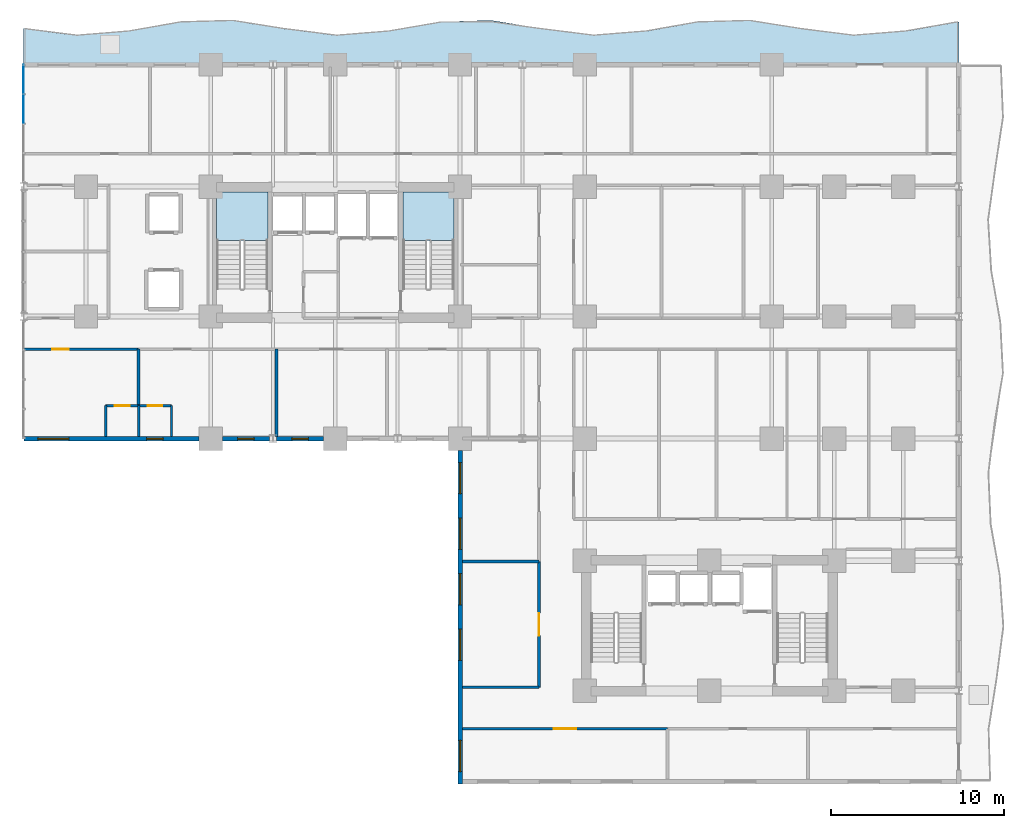
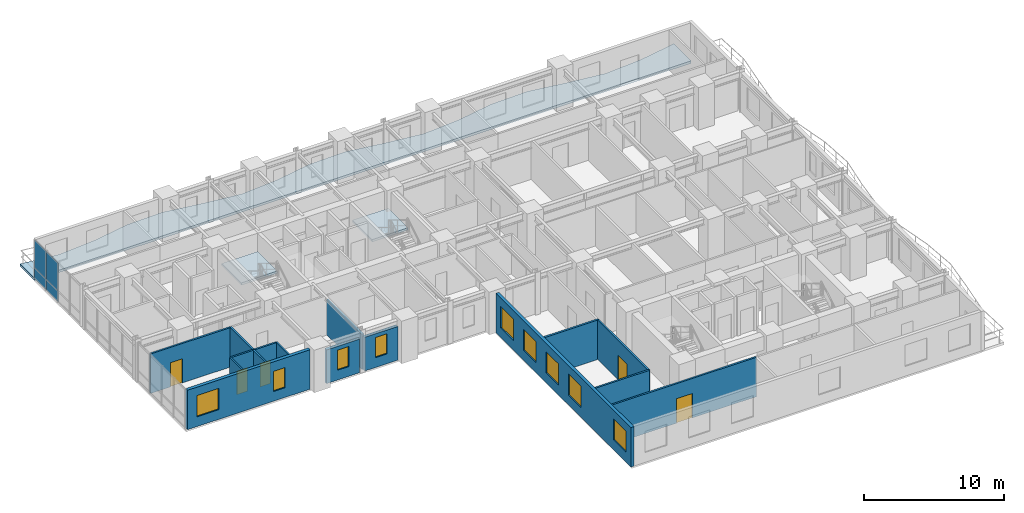
# One storey, part 10 of 19: 16 walls, 9 windows, 5 doors, 4 plates, 3 slabs, 14 openings, 3 elements without a shape of their own.
"""IFC4 building model written with IfcOpenShell, lengths in metres."""

from ifc_helpers import new_model, si_unit, direction, frame, frame_2d, origin, origin_2d, place, context, subcontext, project, spatial, polyline, rectangle, outline, extrude, source, transform, mapped, material, layer, layer_set, type_object, element, fill, aggregate, save


model = new_model("IFC4")

# Units and contexts
model_context = context("Model", 3, precision=1e-05, world=origin(), true_north=direction((0.0, 1.0)))
body_context = subcontext(model_context, "Body", "Model", "MODEL_VIEW")
ifc_project = project(units=[si_unit("LENGTHUNIT", "METRE"), si_unit("AREAUNIT", "SQUARE_METRE"), si_unit("VOLUMEUNIT", "CUBIC_METRE"), si_unit("PLANEANGLEUNIT", "RADIAN"), si_unit("MASSUNIT", "GRAM", prefix="KILO")], contexts=[model_context])

# Site, building, storey
site_placement = place(None, origin())
site = spatial("IfcSite", under=ifc_project, at=site_placement, CompositionType="ELEMENT")
building_placement = place(site_placement, origin())
building = spatial("IfcBuilding", under=site, at=building_placement, Name="Kaliganga Portal Commons", CompositionType="ELEMENT")
storey_placement = place(building_placement, frame((0.0, 0.0, 32.699951171875)))
storey = spatial("IfcBuildingStorey", under=building, at=storey_placement, Name="L07", CompositionType="ELEMENT", Elevation=32.699951171875)

# Slab
ifc_material_1 = material(Name="Concrete C40/50", Category="concrete")
ifc_layer_1 = layer(ifc_material_1, 0.2099609375)
ifc_layer_set_1 = layer_set([ifc_layer_1], Name="Concrete C40/50")
slab_type_1 = type_object("IfcSlabType", Name="SLB-BALC-210", PredefinedType="FLOOR", material=ifc_layer_set_1)
slab_1_placement = place(storey_placement, frame((0.0, 0.0, -0.2099609375)))
element("IfcSlab", 1, at=slab_1_placement, inside=storey, type_object=slab_type_1, Name="Scalloped Tree-Planter Balcony Slab L07 balc_north", PredefinedType="FLOOR", context=body_context, shape_type="SweptSolid", body=[
    extrude(outline(polyline([(57.60009765625, 43.199951171875), (57.60009765625, 45.666259765625), (54.60009765625, 45.135986328125), (51.60009765625, 44.89208984375), (48.60009765625, 45.271728515625), (45.60009765625, 45.750244140625), (42.60009765625, 45.666259765625), (39.60009765625, 45.135986328125), (36.60009765625, 44.89208984375), (33.60009765625, 45.271728515625), (30.60009765625, 45.750244140625), (27.60009765625, 45.666259765625), (24.60009765625, 45.135986328125), (21.60009765625, 44.89208984375), (18.60009765625, 45.271728515625), (15.60009765625, 45.750244140625), (12.60009765625, 45.666259765625), (9.60009765625, 45.135986328125), (6.60009765625, 44.89208984375), (3.60009765625, 45.271728515625), (3.60009765625, 43.199951171875), (57.60009765625, 43.199951171875)])), origin(), (0.0, 0.0, 1.0), 0.2099609375),
])

# Stair, slab
stair_type = type_object("IfcStairType", Name="ST-CORE-DOGLEG", PredefinedType="HALF_TURN_STAIR", material=ifc_material_1)
stair_1_placement = place(storey_placement, origin())
stair_1 = element("IfcStair", 2, at=stair_1_placement, inside=storey, type_object=stair_type, Name="L07 Protected Exit Stair ST-A1", PredefinedType="HALF_TURN_STAIR")
ifc_layer_2 = layer(ifc_material_1, 0.199951171875)
ifc_layer_set_2 = layer_set([ifc_layer_2], Name="Concrete C40/50")
slab_type_2 = type_object("IfcSlabType", Name="SLB-STAIR-LND", PredefinedType="LANDING", material=ifc_layer_set_2)
slab_2_placement = place(storey_placement, frame((0.0, 0.0, 1.650146484375)))
slab_2 = element("IfcSlab", 3, at=slab_2_placement, type_object=slab_type_2, Name="ST-A1 landing 1", PredefinedType="LANDING", context=body_context, shape_type="SweptSolid", body=[
    extrude(outline(polyline([(17.699951171875, 33.050048828125), (17.699951171875, 35.85009765625), (14.75, 35.85009765625), (14.75, 33.050048828125), (17.699951171875, 33.050048828125)])), origin(), (0.0, 0.0, 1.0), 0.199951171875),
])
aggregate(stair_1, [slab_2])

stair_2_placement = place(storey_placement, origin())
stair_2 = element("IfcStair", 4, at=stair_2_placement, inside=storey, type_object=stair_type, Name="L07 Protected Exit Stair ST-A2", PredefinedType="HALF_TURN_STAIR")
slab_3_placement = place(storey_placement, frame((0.0, 0.0, 1.650146484375)))
slab_3 = element("IfcSlab", 5, at=slab_3_placement, type_object=slab_type_2, Name="ST-A2 landing 1", PredefinedType="LANDING", context=body_context, shape_type="SweptSolid", body=[
    extrude(outline(polyline([(28.449951171875, 33.050048828125), (28.449951171875, 35.85009765625), (25.5, 35.85009765625), (25.5, 33.050048828125), (28.449951171875, 33.050048828125)])), origin(), (0.0, 0.0, 1.0), 0.199951171875),
])
aggregate(stair_2, [slab_3])

# Curtain wall, plates
ifc_material_2 = material(Name="Anodized Aluminium and Laminated Low-E Glass", Category="aluminium")
ifc_layer_3 = layer(ifc_material_2, 0.199951171875)
ifc_layer_set_3 = layer_set([ifc_layer_3], Name="Anodized Aluminium and Laminated Low-E Glass")
curtain_wall_type = type_object("IfcCurtainWallType", Name="CW-SYS-02", PredefinedType="NOTDEFINED", material=ifc_layer_set_3)
curtain_wall_placement = place(storey_placement, origin())
curtain_wall = element("IfcCurtainWall", 6, at=curtain_wall_placement, inside=storey, type_object=curtain_wall_type, Name="CW 02 L07 P1E03S1", PredefinedType="NOTDEFINED")
ifc_material_3 = material(Name="Insulated Dark Spandrel Panel", Category="metal")
ifc_layer_4 = layer(ifc_material_3, 0.044921875)
ifc_layer_set_4 = layer_set([ifc_layer_4], Name="Insulated Dark Spandrel Panel")
plate_type_1 = type_object("IfcPlateType", Name="PLT-SPN-45", PredefinedType="SHEET", material=ifc_layer_set_4)
shared_shape_1 = source(origin(), body_context, "Body", "SweptSolid", [
    extrude(rectangle(XDim=1.66650390625, YDim=0.044921875, at=origin_2d()), origin(), (0.0, 0.0, 1.0), 0.929931640625),
])
plate_1_placement = place(storey_placement, frame((3.60009765625, 42.3466796875, 0.01025390625), z_axis=(0.0, 0.0, 1.0), x_axis=(0.0, -1.0, 0.0)))
plate_1 = element("IfcPlate", 7, at=plate_1_placement, type_object=plate_type_1, Name="CW:02:L07:P1E03S1 Spandrel 00", PredefinedType="SHEET", context=body_context, shape_type="MappedRepresentation", body=[
    mapped(shared_shape_1, transform((0.0, 0.0, 0.0), x_axis=(1.0, 0.0, 0.0), y_axis=(0.0, 1.0, 0.0), z_axis=(0.0, 0.0, 1.0), scale=1.0)),
])
plate_2_placement = place(storey_placement, frame((3.60009765625, 40.640380859375, 0.01025390625), z_axis=(0.0, 0.0, 1.0), x_axis=(0.0, -1.0, 0.0)))
plate_2 = element("IfcPlate", 8, at=plate_2_placement, type_object=plate_type_1, Name="CW:02:L07:P1E03S1 Spandrel 01", PredefinedType="SHEET", context=body_context, shape_type="MappedRepresentation", body=[
    mapped(shared_shape_1, transform((0.0, 0.0, 0.0), x_axis=(1.0, 0.0, 0.0), y_axis=(0.0, 1.0, 0.0), z_axis=(0.0, 0.0, 1.0), scale=1.0)),
])
ifc_material_4 = material(Name="Dark Solar-Control Laminated Low-E IGU", Category="glass")
ifc_layer_5 = layer(ifc_material_4, 0.028076171875)
ifc_layer_set_5 = layer_set([ifc_layer_5], Name="Dark Solar-Control Laminated Low-E IGU")
plate_type_2 = type_object("IfcPlateType", Name="PLT-GLZ-28", PredefinedType="CURTAIN_PANEL", material=ifc_layer_set_5)
shared_shape_2 = source(origin(), body_context, "Body", "SweptSolid", [
    extrude(rectangle(XDim=1.66650390625, YDim=0.028076171875, at=origin_2d()), origin(), (0.0, 0.0, 1.0), 2.39990234375),
])
plate_3_placement = place(storey_placement, frame((3.60009765625, 42.3466796875, 0.960205078125), z_axis=(0.0, 0.0, 1.0), x_axis=(0.0, -1.0, 0.0)))
plate_3 = element("IfcPlate", 9, at=plate_3_placement, type_object=plate_type_2, Name="CW:02:L07:P1E03S1 Vision IGU 00", PredefinedType="CURTAIN_PANEL", context=body_context, shape_type="MappedRepresentation", body=[
    mapped(shared_shape_2, transform((0.0, 0.0, 0.0), x_axis=(1.0, 0.0, 0.0), y_axis=(0.0, 1.0, 0.0), z_axis=(0.0, 0.0, 1.0), scale=1.0)),
])
plate_4_placement = place(storey_placement, frame((3.60009765625, 40.640380859375, 0.960205078125), z_axis=(0.0, 0.0, 1.0), x_axis=(0.0, -1.0, 0.0)))
plate_4 = element("IfcPlate", 10, at=plate_4_placement, type_object=plate_type_2, Name="CW:02:L07:P1E03S1 Vision IGU 01", PredefinedType="CURTAIN_PANEL", context=body_context, shape_type="MappedRepresentation", body=[
    mapped(shared_shape_2, transform((0.0, 0.0, 0.0), x_axis=(1.0, 0.0, 0.0), y_axis=(0.0, 1.0, 0.0), z_axis=(0.0, 0.0, 1.0), scale=1.0)),
])
aggregate(curtain_wall, [plate_1, plate_3, plate_2, plate_4])

# Wall, openings, windows
ifc_material_5 = material(Name="Insulated Aluminium-Clad Spandrel Assembly", Category="aluminium")
ifc_layer_6 = layer(ifc_material_5, 0.260009765625)
ifc_layer_set_6 = layer_set([ifc_layer_6], Name="Insulated Aluminium-Clad Spandrel Assembly")
wall_type_1 = type_object("IfcWallType", Name="WL-EXT-SPAND-260", PredefinedType="STANDARD", material=ifc_layer_set_6)
wall_1_placement = place(storey_placement, frame((13.72412109375, 21.60009765625, 0.0), z_axis=(0.0, 0.0, 1.0), x_axis=(-1.0, 0.0, 0.0)))
wall_1 = element("IfcWall", 11, at=wall_1_placement, inside=storey, type_object=wall_type_1, Name="Exterior Envelope Wall L07 P1-E04-S1", PredefinedType="STANDARD", context=body_context, shape_type="SweptSolid", body=[
    extrude(rectangle(XDim=10.087158203125, YDim=0.260009765625, at=frame_2d((5.04345703125, 0.0))), origin(), (0.0, 0.0, 1.0), 3.429931640625),
])
opening_1_placement = place(wall_1_placement, frame((7.505859375, 0.0, 0.85009765625)))
opening_1 = element("IfcOpeningElement", 12, at=opening_1_placement, cuts=wall_1, Name="Opening W-01", PredefinedType="OPENING", context=body_context, shape_type="SweptSolid", body=[
    extrude(rectangle(XDim=1.800048828125, YDim=1.85009765625, at=frame_2d((0.89990234375, 0.925048828125))), frame((0.0, 0.14013671875, 0.0), z_axis=(0.0, -1.0, 0.0), x_axis=(1.0, 0.0, 0.0)), (0.0, 0.0, 1.0), 0.280029296875),
])
opening_2_placement = place(wall_1_placement, frame((2.06689453125, 0.0, 0.85009765625)))
opening_2 = element("IfcOpeningElement", 13, at=opening_2_placement, cuts=wall_1, Name="Opening W-04", PredefinedType="OPENING", context=body_context, shape_type="SweptSolid", body=[
    extrude(rectangle(XDim=0.949951171875, YDim=1.75, at=frame_2d((0.47509765625, 0.875))), frame((0.0, 0.14013671875, 0.0), z_axis=(0.0, -1.0, 0.0), x_axis=(1.0, 0.0, 0.0)), (0.0, 0.0, 1.0), 0.280029296875),
])
ifc_material_6 = material(Name="Thermally Broken Aluminium and Low-E Double Glazing", Category="aluminium")
window_type_1 = type_object("IfcWindowType", Name="WIN-NARROW-950", PartitioningType="SINGLE_PANEL", PredefinedType="WINDOW", material=ifc_material_6)
window_1_placement = place(opening_2_placement, origin())
window_1 = element("IfcWindow", 14, at=window_1_placement, inside=storey, type_object=window_type_1, Name="Facade Window L07-P1E04S1-N1", OverallHeight=1.75, OverallWidth=0.949951171875, PartitioningType="SINGLE_PANEL", PredefinedType="WINDOW", context=body_context, shape_type="SweptSolid", body=[
    extrude(rectangle(XDim=0.949951171875, YDim=1.75, at=frame_2d((0.47509765625, 0.875))), frame((0.0, 0.030029296875, 0.0), z_axis=(0.0, -1.0, 0.0), x_axis=(1.0, 0.0, 0.0)), (0.0, 0.0, 1.0), 0.06005859375),
])
fill(opening_2, window_1)
window_type_2 = type_object("IfcWindowType", Name="WIN-STD-1800", PartitioningType="DOUBLE_PANEL_VERTICAL", PredefinedType="WINDOW", material=ifc_material_6)
window_2_placement = place(opening_1_placement, origin())
window_2 = element("IfcWindow", 15, at=window_2_placement, inside=storey, type_object=window_type_2, Name="Facade Window L07-P1E04S1-02", OverallHeight=1.85009765625, OverallWidth=1.800048828125, PartitioningType="SINGLE_PANEL", PredefinedType="WINDOW", context=body_context, shape_type="SweptSolid", body=[
    extrude(rectangle(XDim=1.800048828125, YDim=1.85009765625, at=frame_2d((0.89990234375, 0.925048828125))), frame((0.0, 0.030029296875, 0.0), z_axis=(0.0, -1.0, 0.0), x_axis=(1.0, 0.0, 0.0)), (0.0, 0.0, 1.0), 0.06005859375),
])
fill(opening_1, window_2)

# Wall, opening, window
wall_2_placement = place(storey_placement, frame((17.791015625, 21.60009765625, 0.0), z_axis=(0.0, 0.0, 1.0), x_axis=(-1.0, 0.0, 0.0)))
wall_2 = element("IfcWall", 16, at=wall_2_placement, inside=storey, type_object=wall_type_1, Name="Exterior Envelope Wall L07 P1-E04-S2", PredefinedType="STANDARD", context=body_context, shape_type="SweptSolid", body=[
    extrude(rectangle(XDim=2.715087890625, YDim=0.260009765625, at=frame_2d((1.357421875, 0.0))), origin(), (0.0, 0.0, 1.0), 2.929931640625),
])
opening_3_placement = place(wall_2_placement, frame((0.882568359375, 0.0, 0.85009765625)))
opening_3 = element("IfcOpeningElement", 17, at=opening_3_placement, cuts=wall_2, Name="Opening W-04", PredefinedType="OPENING", context=body_context, shape_type="SweptSolid", body=[
    extrude(rectangle(XDim=0.949951171875, YDim=1.75, at=frame_2d((0.47509765625, 0.875))), frame((0.0, 0.14013671875, 0.0), z_axis=(0.0, -1.0, 0.0), x_axis=(1.0, 0.0, 0.0)), (0.0, 0.0, 1.0), 0.280029296875),
])
window_3_placement = place(opening_3_placement, origin())
window_3 = element("IfcWindow", 18, at=window_3_placement, inside=storey, type_object=window_type_1, Name="Facade Window L07-P1E04S2-00", OverallHeight=1.75, OverallWidth=0.949951171875, PartitioningType="SINGLE_PANEL", PredefinedType="WINDOW", context=body_context, shape_type="SweptSolid", body=[
    extrude(rectangle(XDim=0.949951171875, YDim=1.75, at=frame_2d((0.47509765625, 0.875))), frame((0.0, 0.030029296875, 0.0), z_axis=(0.0, -1.0, 0.0), x_axis=(1.0, 0.0, 0.0)), (0.0, 0.0, 1.0), 0.06005859375),
])
fill(opening_3, window_3)

wall_3_placement = place(storey_placement, frame((20.924072265625, 21.60009765625, 0.0), z_axis=(0.0, 0.0, 1.0), x_axis=(-1.0, 0.0, 0.0)))
wall_3 = element("IfcWall", 19, at=wall_3_placement, inside=storey, type_object=wall_type_1, Name="Exterior Envelope Wall L07 P1-E04-S3", PredefinedType="STANDARD", context=body_context, shape_type="SweptSolid", body=[
    extrude(rectangle(XDim=2.715087890625, YDim=0.260009765625, at=frame_2d((1.357421875, 0.0))), origin(), (0.0, 0.0, 1.0), 2.929931640625),
])
opening_4_placement = place(wall_3_placement, frame((0.882568359375, 0.0, 0.85009765625)))
opening_4 = element("IfcOpeningElement", 20, at=opening_4_placement, cuts=wall_3, Name="Opening W-04", PredefinedType="OPENING", context=body_context, shape_type="SweptSolid", body=[
    extrude(rectangle(XDim=0.949951171875, YDim=1.75, at=frame_2d((0.47509765625, 0.875))), frame((0.0, 0.14013671875, 0.0), z_axis=(0.0, -1.0, 0.0), x_axis=(1.0, 0.0, 0.0)), (0.0, 0.0, 1.0), 0.280029296875),
])
window_4_placement = place(opening_4_placement, origin())
window_4 = element("IfcWindow", 21, at=window_4_placement, inside=storey, type_object=window_type_1, Name="Facade Window L07-P1E04S3-00", OverallHeight=1.75, OverallWidth=0.949951171875, PartitioningType="SINGLE_PANEL", PredefinedType="WINDOW", context=body_context, shape_type="SweptSolid", body=[
    extrude(rectangle(XDim=0.949951171875, YDim=1.75, at=frame_2d((0.47509765625, 0.875))), frame((0.0, 0.030029296875, 0.0), z_axis=(0.0, -1.0, 0.0), x_axis=(1.0, 0.0, 0.0)), (0.0, 0.0, 1.0), 0.06005859375),
])
fill(opening_4, window_4)

# Wall, openings, windows
wall_4_placement = place(storey_placement, frame((28.800048828125, 1.669921875, 0.0), z_axis=(0.0, 0.0, 1.0), x_axis=(0.0, 1.0, 0.0)))
wall_4 = element("IfcWall", 22, at=wall_4_placement, inside=storey, type_object=wall_type_1, Name="Exterior Envelope Wall L07 P1-E05-S1", PredefinedType="STANDARD", context=body_context, shape_type="SweptSolid", body=[
    extrude(rectangle(XDim=19.254150390625, YDim=0.260009765625, at=frame_2d((9.626953125, 0.0))), origin(), (0.0, 0.0, 1.0), 3.429931640625),
])
opening_5_placement = place(wall_4_placement, frame((0.70458984375, 0.0, 0.85009765625)))
opening_5 = element("IfcOpeningElement", 23, at=opening_5_placement, cuts=wall_4, Name="Opening W-01", PredefinedType="OPENING", context=body_context, shape_type="SweptSolid", body=[
    extrude(rectangle(XDim=1.800048828125, YDim=1.85009765625, at=frame_2d((0.89990234375, 0.925048828125))), frame((0.0, 0.14013671875, 0.0), z_axis=(0.0, -1.0, 0.0), x_axis=(1.0, 0.0, 0.0)), (0.0, 0.0, 1.0), 0.280029296875),
])
opening_6_placement = place(wall_4_placement, frame((7.12255859375, 0.0, 0.85009765625)))
opening_6 = element("IfcOpeningElement", 24, at=opening_6_placement, cuts=wall_4, Name="Opening W-01", PredefinedType="OPENING", context=body_context, shape_type="SweptSolid", body=[
    extrude(rectangle(XDim=1.800048828125, YDim=1.85009765625, at=frame_2d((0.89990234375, 0.925048828125))), frame((0.0, 0.14013671875, 0.0), z_axis=(0.0, -1.0, 0.0), x_axis=(1.0, 0.0, 0.0)), (0.0, 0.0, 1.0), 0.280029296875),
])
opening_7_placement = place(wall_4_placement, frame((10.33154296875, 0.0, 0.85009765625)))
opening_7 = element("IfcOpeningElement", 25, at=opening_7_placement, cuts=wall_4, Name="Opening W-01", PredefinedType="OPENING", context=body_context, shape_type="SweptSolid", body=[
    extrude(rectangle(XDim=1.800048828125, YDim=1.85009765625, at=frame_2d((0.89990234375, 0.925048828125))), frame((0.0, 0.14013671875, 0.0), z_axis=(0.0, -1.0, 0.0), x_axis=(1.0, 0.0, 0.0)), (0.0, 0.0, 1.0), 0.280029296875),
])
opening_8_placement = place(wall_4_placement, frame((13.54052734375, 0.0, 0.85009765625)))
opening_8 = element("IfcOpeningElement", 26, at=opening_8_placement, cuts=wall_4, Name="Opening W-01", PredefinedType="OPENING", context=body_context, shape_type="SweptSolid", body=[
    extrude(rectangle(XDim=1.800048828125, YDim=1.85009765625, at=frame_2d((0.89990234375, 0.925048828125))), frame((0.0, 0.14013671875, 0.0), z_axis=(0.0, -1.0, 0.0), x_axis=(1.0, 0.0, 0.0)), (0.0, 0.0, 1.0), 0.280029296875),
])
opening_9_placement = place(wall_4_placement, frame((16.74951171875, 0.0, 0.85009765625)))
opening_9 = element("IfcOpeningElement", 27, at=opening_9_placement, cuts=wall_4, Name="Opening W-01", PredefinedType="OPENING", context=body_context, shape_type="SweptSolid", body=[
    extrude(rectangle(XDim=1.800048828125, YDim=1.85009765625, at=frame_2d((0.89990234375, 0.925048828125))), frame((0.0, 0.14013671875, 0.0), z_axis=(0.0, -1.0, 0.0), x_axis=(1.0, 0.0, 0.0)), (0.0, 0.0, 1.0), 0.280029296875),
])
window_5_placement = place(opening_5_placement, origin())
window_5 = element("IfcWindow", 28, at=window_5_placement, inside=storey, type_object=window_type_2, Name="Facade Window L07-P1E05S1-00", OverallHeight=1.85009765625, OverallWidth=1.800048828125, PartitioningType="SINGLE_PANEL", PredefinedType="WINDOW", context=body_context, shape_type="SweptSolid", body=[
    extrude(rectangle(XDim=1.800048828125, YDim=1.85009765625, at=frame_2d((0.89990234375, 0.925048828125))), frame((0.0, 0.030029296875, 0.0), z_axis=(0.0, -1.0, 0.0), x_axis=(1.0, 0.0, 0.0)), (0.0, 0.0, 1.0), 0.06005859375),
])
fill(opening_5, window_5)
window_6_placement = place(opening_6_placement, origin())
window_6 = element("IfcWindow", 29, at=window_6_placement, inside=storey, type_object=window_type_2, Name="Facade Window L07-P1E05S1-02", OverallHeight=1.85009765625, OverallWidth=1.800048828125, PartitioningType="SINGLE_PANEL", PredefinedType="WINDOW", context=body_context, shape_type="SweptSolid", body=[
    extrude(rectangle(XDim=1.800048828125, YDim=1.85009765625, at=frame_2d((0.89990234375, 0.925048828125))), frame((0.0, 0.030029296875, 0.0), z_axis=(0.0, -1.0, 0.0), x_axis=(1.0, 0.0, 0.0)), (0.0, 0.0, 1.0), 0.06005859375),
])
fill(opening_6, window_6)
window_7_placement = place(opening_7_placement, origin())
window_7 = element("IfcWindow", 30, at=window_7_placement, inside=storey, type_object=window_type_2, Name="Facade Window L07-P1E05S1-03", OverallHeight=1.85009765625, OverallWidth=1.800048828125, PartitioningType="SINGLE_PANEL", PredefinedType="WINDOW", context=body_context, shape_type="SweptSolid", body=[
    extrude(rectangle(XDim=1.800048828125, YDim=1.85009765625, at=frame_2d((0.89990234375, 0.925048828125))), frame((0.0, 0.030029296875, 0.0), z_axis=(0.0, -1.0, 0.0), x_axis=(1.0, 0.0, 0.0)), (0.0, 0.0, 1.0), 0.06005859375),
])
fill(opening_7, window_7)
window_8_placement = place(opening_8_placement, origin())
window_8 = element("IfcWindow", 31, at=window_8_placement, inside=storey, type_object=window_type_2, Name="Facade Window L07-P1E05S1-04", OverallHeight=1.85009765625, OverallWidth=1.800048828125, PartitioningType="SINGLE_PANEL", PredefinedType="WINDOW", context=body_context, shape_type="SweptSolid", body=[
    extrude(rectangle(XDim=1.800048828125, YDim=1.85009765625, at=frame_2d((0.89990234375, 0.925048828125))), frame((0.0, 0.030029296875, 0.0), z_axis=(0.0, -1.0, 0.0), x_axis=(1.0, 0.0, 0.0)), (0.0, 0.0, 1.0), 0.06005859375),
])
fill(opening_8, window_8)
window_9_placement = place(opening_9_placement, origin())
window_9 = element("IfcWindow", 32, at=window_9_placement, inside=storey, type_object=window_type_2, Name="Facade Window L07-P1E05S1-05", OverallHeight=1.85009765625, OverallWidth=1.800048828125, PartitioningType="SINGLE_PANEL", PredefinedType="WINDOW", context=body_context, shape_type="SweptSolid", body=[
    extrude(rectangle(XDim=1.800048828125, YDim=1.85009765625, at=frame_2d((0.89990234375, 0.925048828125))), frame((0.0, 0.030029296875, 0.0), z_axis=(0.0, -1.0, 0.0), x_axis=(1.0, 0.0, 0.0)), (0.0, 0.0, 1.0), 0.06005859375),
])
fill(opening_9, window_9)

# Wall, opening, door
ifc_material_7 = material(Name="Fire-Rated Gypsum Board on Steel Stud", Category="steel")
ifc_layer_7 = layer(ifc_material_7, 0.14990234375)
ifc_layer_set_7 = layer_set([ifc_layer_7], Name="Fire-Rated Gypsum Board on Steel Stud")
wall_type_2 = type_object("IfcWallType", Name="WL-PART-CORR-150", PredefinedType="PARTITIONING", material=ifc_layer_set_7)
wall_5_placement = place(storey_placement, frame((28.931884765625, 4.840087890625, 0.0), z_axis=(0.0, 0.0, 1.0), x_axis=(1.0, 0.0, 0.0)))
wall_5 = element("IfcWall", 33, at=wall_5_placement, inside=storey, type_object=wall_type_2, Name="Interior Partition L07-007", PredefinedType="PARTITIONING", context=body_context, shape_type="SweptSolid", body=[
    extrude(rectangle(XDim=11.84814453125, YDim=0.14990234375, at=frame_2d((5.924072265625, 0.0))), origin(), (0.0, 0.0, 1.0), 3.429931640625),
])
opening_10_placement = place(wall_5_placement, frame((5.27392578125, 0.0, 0.0)))
opening_10 = element("IfcOpeningElement", 34, at=opening_10_placement, cuts=wall_5, Name="Opening RD-03", PredefinedType="OPENING", context=body_context, shape_type="SweptSolid", body=[
    extrude(rectangle(XDim=1.300048828125, YDim=2.1201171875, at=frame_2d((0.64990234375, 1.06005859375))), frame((0.0, 0.0849609375, 0.0), z_axis=(0.0, -1.0, 0.0), x_axis=(1.0, 0.0, 0.0)), (0.0, 0.0, 1.0), 0.169921875),
])
ifc_material_8 = material(Name="Glazed Timber Seminar Vision Door", Category="wood")
door_type_1 = type_object("IfcDoorType", Name="DR-STUDY-1300", OperationType="DOUBLE_DOOR_SINGLE_SWING", PredefinedType="DOOR", material=ifc_material_8)
door_1_placement = place(opening_10_placement, origin())
door_1 = element("IfcDoor", 35, at=door_1_placement, inside=storey, type_object=door_type_1, Name="Interior Door L07-BS01", OperationType="DOUBLE_DOOR_SINGLE_SWING", OverallHeight=2.1201171875, OverallWidth=1.300048828125, PredefinedType="DOOR", context=body_context, shape_type="SweptSolid", body=[
    extrude(rectangle(XDim=1.300048828125, YDim=2.1201171875, at=frame_2d((0.64990234375, 1.06005859375))), frame((0.0, 0.02490234375, 0.0), z_axis=(0.0, -1.0, 0.0), x_axis=(1.0, 0.0, 0.0)), (0.0, 0.0, 1.0), 0.050048828125),
])
fill(opening_10, door_1)

wall_6_placement = place(storey_placement, frame((33.360107421875, 7.239990234375, 0.0), z_axis=(0.0, 0.0, 1.0), x_axis=(0.0, 1.0, 0.0)))
wall_6 = element("IfcWall", 36, at=wall_6_placement, inside=storey, type_object=wall_type_2, Name="Interior Partition L07-020", PredefinedType="PARTITIONING", context=body_context, shape_type="SweptSolid", body=[
    extrude(rectangle(XDim=7.260009765625, YDim=0.14990234375, at=frame_2d((3.6298828125, 0.0))), origin(), (0.0, 0.0, 1.0), 3.429931640625),
])
opening_11_placement = place(wall_6_placement, frame((2.97998046875, 0.0, 0.0)))
opening_11 = element("IfcOpeningElement", 37, at=opening_11_placement, cuts=wall_6, Name="Opening RD-03", PredefinedType="OPENING", context=body_context, shape_type="SweptSolid", body=[
    extrude(rectangle(XDim=1.300048828125, YDim=2.1201171875, at=frame_2d((0.64990234375, 1.06005859375))), frame((0.0, 0.0849609375, 0.0), z_axis=(0.0, -1.0, 0.0), x_axis=(1.0, 0.0, 0.0)), (0.0, 0.0, 1.0), 0.169921875),
])
door_2_placement = place(opening_11_placement, origin())
door_2 = element("IfcDoor", 38, at=door_2_placement, inside=storey, type_object=door_type_1, Name="Interior Door L07-KW01", OperationType="DOUBLE_DOOR_SINGLE_SWING", OverallHeight=2.1201171875, OverallWidth=1.300048828125, PredefinedType="DOOR", context=body_context, shape_type="SweptSolid", body=[
    extrude(rectangle(XDim=1.300048828125, YDim=2.1201171875, at=frame_2d((0.64990234375, 1.06005859375))), frame((0.0, 0.02490234375, 0.0), z_axis=(0.0, -1.0, 0.0), x_axis=(1.0, 0.0, 0.0)), (0.0, 0.0, 1.0), 0.050048828125),
])
fill(opening_11, door_2)

wall_7_placement = place(storey_placement, frame((3.6201171875, 26.760009765625, 0.0), z_axis=(0.0, 0.0, 1.0), x_axis=(1.0, 0.0, 0.0)))
wall_7 = element("IfcWall", 39, at=wall_7_placement, inside=storey, type_object=wall_type_2, Name="Interior Partition L07-026", PredefinedType="PARTITIONING", context=body_context, shape_type="SweptSolid", body=[
    extrude(rectangle(XDim=6.619873046875, YDim=0.14990234375, at=frame_2d((3.31005859375, 0.0))), origin(), (0.0, 0.0, 1.0), 3.429931640625),
])
opening_12_placement = place(wall_7_placement, frame((1.643310546875, 0.0, 0.0)))
opening_12 = element("IfcOpeningElement", 40, at=opening_12_placement, cuts=wall_7, Name="Opening UD-01", PredefinedType="OPENING", context=body_context, shape_type="SweptSolid", body=[
    extrude(rectangle(XDim=0.949951171875, YDim=2.10009765625, at=frame_2d((0.47509765625, 1.050048828125))), frame((0.0, 0.0849609375, 0.0), z_axis=(0.0, -1.0, 0.0), x_axis=(1.0, 0.0, 0.0)), (0.0, 0.0, 1.0), 0.169921875),
])
ifc_material_9 = material(Name="Solid-Core Timber Acoustic Fire Door", Category="wood")
door_type_2 = type_object("IfcDoorType", Name="DR-UNIT-950", OperationType="NOTDEFINED", PredefinedType="DOOR", material=ifc_material_9)
door_3_placement = place(opening_12_placement, origin())
door_3 = element("IfcDoor", 41, at=door_3_placement, inside=storey, type_object=door_type_2, Name="Interior Door L07-AS01", OperationType="SINGLE_SWING_RIGHT", OverallHeight=2.10009765625, OverallWidth=0.949951171875, PredefinedType="DOOR", context=body_context, shape_type="SweptSolid", body=[
    extrude(rectangle(XDim=0.949951171875, YDim=2.10009765625, at=frame_2d((0.47509765625, 1.050048828125))), frame((0.0, 0.02490234375, 0.0), z_axis=(0.0, -1.0, 0.0), x_axis=(1.0, 0.0, 0.0)), (0.0, 0.0, 1.0), 0.050048828125),
])
fill(opening_12, door_3)

# Walls
wall_8_placement = place(storey_placement, frame((28.931884765625, 7.239990234375, 0.0), z_axis=(0.0, 0.0, 1.0), x_axis=(1.0, 0.0, 0.0)))
element("IfcWall", 42, at=wall_8_placement, inside=storey, type_object=wall_type_2, Name="Interior Partition L07-039", PredefinedType="PARTITIONING", context=body_context, shape_type="SweptSolid", body=[
    extrude(rectangle(XDim=4.42822265625, YDim=0.14990234375, at=frame_2d((2.214111328125, 0.0))), origin(), (0.0, 0.0, 1.0), 3.429931640625),
])
ifc_material_10 = material(Name="Twin-Stud Acoustic Gypsum Partition", Category="gypsum")
ifc_layer_8 = layer(ifc_material_10, 0.1650390625)
ifc_layer_set_8 = layer_set([ifc_layer_8], Name="Twin-Stud Acoustic Gypsum Partition")
wall_type_3 = type_object("IfcWallType", Name="WL-PART-UNIT-165", PredefinedType="PARTITIONING", material=ifc_layer_set_8)
wall_9_placement = place(storey_placement, frame((18.199951171875, 21.73193359375, 0.0), z_axis=(0.0, 0.0, 1.0), x_axis=(0.0, 1.0, 0.0)))
element("IfcWall", 43, at=wall_9_placement, inside=storey, type_object=wall_type_3, Name="Interior Partition L07-075", PredefinedType="PARTITIONING", context=body_context, shape_type="SweptSolid", body=[
    extrude(rectangle(XDim=5.028076171875, YDim=0.1650390625, at=frame_2d((2.51416015625, 0.0))), origin(), (0.0, 0.0, 1.0), 3.070068359375),
])
wall_10_placement = place(storey_placement, frame((28.931884765625, 14.5, 0.0), z_axis=(0.0, 0.0, 1.0), x_axis=(1.0, 0.0, 0.0)))
element("IfcWall", 44, at=wall_10_placement, inside=storey, type_object=wall_type_3, Name="Interior Partition L07-082", PredefinedType="PARTITIONING", context=body_context, shape_type="SweptSolid", body=[
    extrude(rectangle(XDim=4.42822265625, YDim=0.1650390625, at=frame_2d((2.214111328125, 0.0))), origin(), (0.0, 0.0, 1.0), 3.429931640625),
])
wall_11_placement = place(storey_placement, frame((10.239990234375, 23.5, 0.0), z_axis=(0.0, 0.0, 1.0), x_axis=(0.0, 1.0, 0.0)))
element("IfcWall", 45, at=wall_11_placement, inside=storey, type_object=wall_type_3, Name="Interior Partition L07-089", PredefinedType="PARTITIONING", context=body_context, shape_type="SweptSolid", body=[
    extrude(rectangle(XDim=3.260009765625, YDim=0.1650390625, at=frame_2d((1.6298828125, 0.0))), origin(), (0.0, 0.0, 1.0), 3.429931640625),
])

# Wall, opening, door
ifc_material_11 = material(Name="Cement-Board Wet-Room Partition", Category="gypsum")
ifc_layer_9 = layer(ifc_material_11, 0.135009765625)
ifc_layer_set_9 = layer_set([ifc_layer_9], Name="Cement-Board Wet-Room Partition")
wall_type_4 = type_object("IfcWallType", Name="WL-PART-WET-135", PredefinedType="PARTITIONING", material=ifc_layer_set_9)
wall_12_placement = place(storey_placement, frame((8.340087890625, 23.5, 0.0), z_axis=(0.0, 0.0, 1.0), x_axis=(1.0, 0.0, 0.0)))
wall_12 = element("IfcWall", 46, at=wall_12_placement, inside=storey, type_object=wall_type_4, Name="Interior Partition L07-001", PredefinedType="PARTITIONING", context=body_context, shape_type="SweptSolid", body=[
    extrude(rectangle(XDim=1.89990234375, YDim=0.135009765625, at=frame_2d((0.949951171875, 0.0))), origin(), (0.0, 0.0, 1.0), 3.429931640625),
])
opening_13_placement = place(wall_12_placement, frame((0.52490234375, 0.0, 0.0)))
opening_13 = element("IfcOpeningElement", 47, at=opening_13_placement, cuts=wall_12, Name="Opening WD-01", PredefinedType="OPENING", context=body_context, shape_type="SweptSolid", body=[
    extrude(rectangle(XDim=0.85009765625, YDim=2.0400390625, at=frame_2d((0.425048828125, 1.02001953125))), frame((0.0, 0.07763671875, 0.0), z_axis=(0.0, -1.0, 0.0), x_axis=(1.0, 0.0, 0.0)), (0.0, 0.0, 1.0), 0.155029296875),
])
ifc_material_12 = material(Name="Moisture-Resistant Laminate Timber Door", Category="wood")
door_type_3 = type_object("IfcDoorType", Name="DR-WET-850", OperationType="NOTDEFINED", PredefinedType="DOOR", material=ifc_material_12)
door_4_placement = place(opening_13_placement, origin())
door_4 = element("IfcDoor", 48, at=door_4_placement, inside=storey, type_object=door_type_3, Name="Interior Door L07-AS01E", OperationType="SINGLE_SWING_LEFT", OverallHeight=2.0400390625, OverallWidth=0.85009765625, PredefinedType="DOOR", context=body_context, shape_type="SweptSolid", body=[
    extrude(rectangle(XDim=0.85009765625, YDim=2.0400390625, at=frame_2d((0.425048828125, 1.02001953125))), frame((0.0, 0.02490234375, 0.0), z_axis=(0.0, -1.0, 0.0), x_axis=(1.0, 0.0, 0.0)), (0.0, 0.0, 1.0), 0.050048828125),
])
fill(opening_13, door_4)

wall_13_placement = place(storey_placement, frame((10.239990234375, 23.5, 0.0), z_axis=(0.0, 0.0, 1.0), x_axis=(1.0, 0.0, 0.0)))
wall_13 = element("IfcWall", 49, at=wall_13_placement, inside=storey, type_object=wall_type_4, Name="Interior Partition L07-002", PredefinedType="PARTITIONING", context=body_context, shape_type="SweptSolid", body=[
    extrude(rectangle(XDim=1.89990234375, YDim=0.135009765625, at=frame_2d((0.949951171875, 0.0))), origin(), (0.0, 0.0, 1.0), 3.429931640625),
])
opening_14_placement = place(wall_13_placement, frame((0.52490234375, 0.0, 0.0)))
opening_14 = element("IfcOpeningElement", 50, at=opening_14_placement, cuts=wall_13, Name="Opening WD-01", PredefinedType="OPENING", context=body_context, shape_type="SweptSolid", body=[
    extrude(rectangle(XDim=0.85009765625, YDim=2.0400390625, at=frame_2d((0.425048828125, 1.02001953125))), frame((0.0, 0.07763671875, 0.0), z_axis=(0.0, -1.0, 0.0), x_axis=(1.0, 0.0, 0.0)), (0.0, 0.0, 1.0), 0.155029296875),
])
door_5_placement = place(opening_14_placement, origin())
door_5 = element("IfcDoor", 51, at=door_5_placement, inside=storey, type_object=door_type_3, Name="Interior Door L07-AS02E", OperationType="SINGLE_SWING_RIGHT", OverallHeight=2.0400390625, OverallWidth=0.85009765625, PredefinedType="DOOR", context=body_context, shape_type="SweptSolid", body=[
    extrude(rectangle(XDim=0.85009765625, YDim=2.0400390625, at=frame_2d((0.425048828125, 1.02001953125))), frame((0.0, 0.02490234375, 0.0), z_axis=(0.0, -1.0, 0.0), x_axis=(1.0, 0.0, 0.0)), (0.0, 0.0, 1.0), 0.050048828125),
])
fill(opening_14, door_5)

# Walls
for number, where, z_axis, x_axis, name in (
    (52, (8.340087890625, 21.73193359375, 0.0), (0.0, 0.0, 1.0), (0.0, 1.0, 0.0), "Interior Partition L07-003"),
    (53, (10.239990234375, 21.73193359375, 0.0), (0.0, 0.0, 1.0), (0.0, 1.0, 0.0), "Interior Partition L07-004"),
    (54, (12.139892578125, 21.73193359375, 0.0), (0.0, 0.0, 1.0), (0.0, 1.0, 0.0), "Interior Partition L07-005"),
):
    element("IfcWall", number, at=place(storey_placement, frame(where, z_axis=z_axis, x_axis=x_axis)), inside=storey, type_object=wall_type_4, Name=name, PredefinedType="PARTITIONING", context=body_context, shape_type="SweptSolid", body=[
        extrude(rectangle(XDim=1.76806640625, YDim=0.135009765625, at=frame_2d((0.884033203125, 0.0))), origin(), (0.0, 0.0, 1.0), 3.429931640625),
    ])

save(model, "model.ifc")
